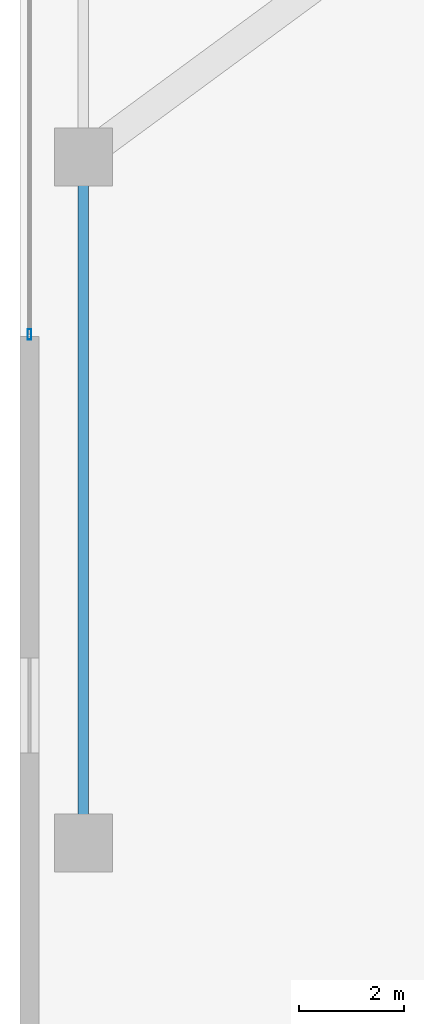
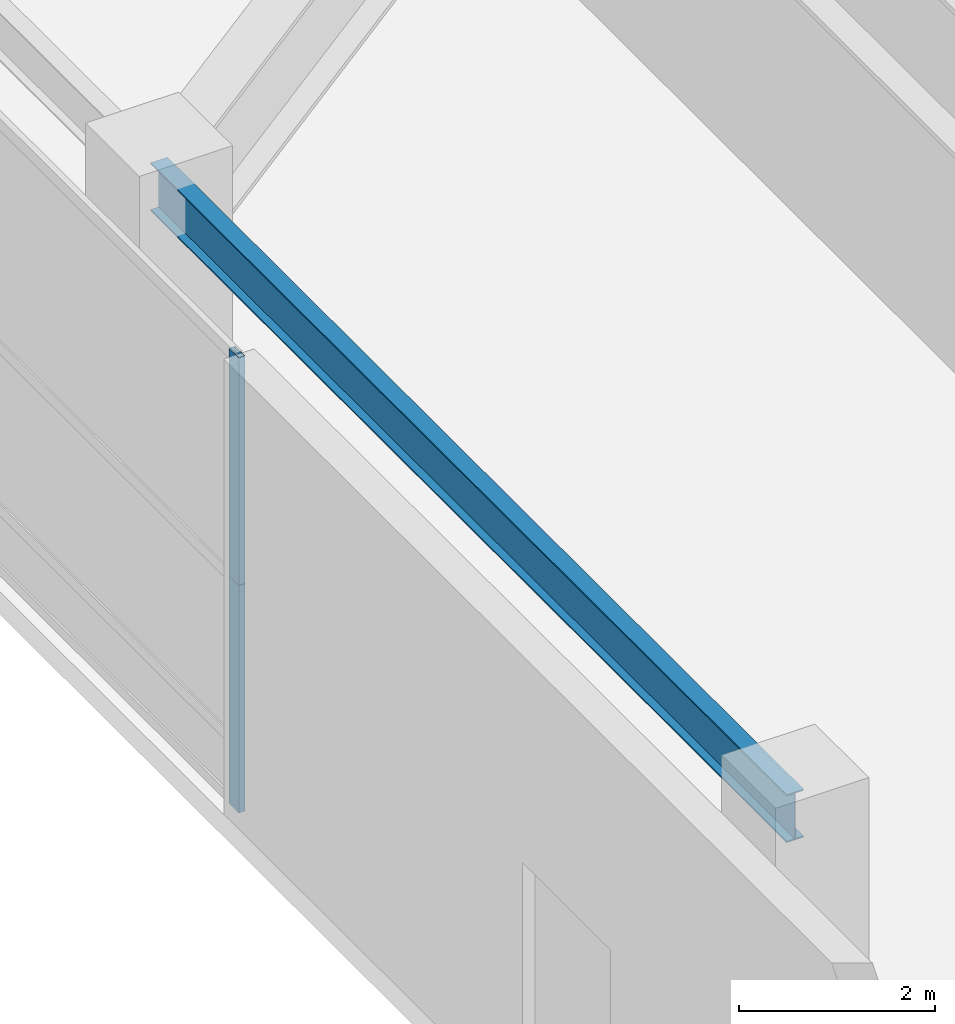
# One storey, part 5 of 39: 2 members, 1 beam, 1 element without a shape of its own.
"""IFC4 building model written with IfcOpenShell, lengths in metres."""

from ifc_helpers import new_model, si_unit, direction, frame, origin, origin_2d, place, context, subcontext, project, spatial, hollow_rectangle, i_section, extrude, source, transform, mapped, material, layer, layer_set, material_profile, profile_set, type_object, element, aggregate, save


model = new_model("IFC4")

# Units and contexts
model_context = context("Model", 3, precision=1e-05, world=origin(), true_north=direction((0.0, 1.0)))
body_context = subcontext(model_context, "Body", "Model", "MODEL_VIEW")
ifc_project = project(units=[si_unit("LENGTHUNIT", "METRE"), si_unit("AREAUNIT", "SQUARE_METRE"), si_unit("VOLUMEUNIT", "CUBIC_METRE"), si_unit("PLANEANGLEUNIT", "RADIAN"), si_unit("MASSUNIT", "GRAM", prefix="KILO"), si_unit("THERMODYNAMICTEMPERATUREUNIT", "KELVIN"), si_unit("POWERUNIT", "WATT")], contexts=[model_context])

# Site, building, storey
site_placement = place(None, origin())
site = spatial("IfcSite", under=ifc_project, at=site_placement, CompositionType="ELEMENT")
building_placement = place(site_placement, origin())
building = spatial("IfcBuilding", under=site, at=building_placement, Name="Yuzanri Waterfront Tower", CompositionType="ELEMENT")
storey_placement = place(building_placement, frame((0.0, 0.0, 19.800048828125)))
storey = spatial("IfcBuildingStorey", under=building, at=storey_placement, Name="L05", CompositionType="ELEMENT", Elevation=19.800048828125)

# Beam
ifc_material_1 = material(Name="Steel Q355B", Category="steel")
ifc_material_profile_1 = material_profile(ifc_material_1, i_section(OverallWidth=0.199951171875, OverallDepth=0.60009765625, WebThickness=0.010986328125, FlangeThickness=0.01708984375, at=origin_2d()), Name="HN 600x200x11x17")
ifc_profile_set_1 = profile_set([ifc_material_profile_1], Name="Steel Q355B")
beam_type = type_object("IfcBeamType", Name="Perimeter Spandrel Q355B HN 600x200", PredefinedType="SPANDREL", material=ifc_profile_set_1)
shared_shape_1 = source(origin(), body_context, "Body", "SweptSolid", [
    extrude(i_section(OverallWidth=0.199951171875, OverallDepth=0.60009765625, WebThickness=0.010986328125, FlangeThickness=0.01708984375, at=origin_2d()), origin(), (0.0, 0.0, 1.0), 13.0),
])
beam_placement = place(storey_placement, frame((3.199951171875, 6.39990234375, 5.3798828125), z_axis=(0.0, 1.0, 0.0), x_axis=(-1.0, 0.0, 0.0)))
element("IfcBeam", 1, at=beam_placement, inside=storey, type_object=beam_type, Name="L05 West Podium Spandrel 1", PredefinedType="SPANDREL", context=body_context, shape_type="MappedRepresentation", body=[
    mapped(shared_shape_1, transform((0.0, 0.0, 0.0), scale=1.0)),
])

# Curtain wall, members
ifc_material_2 = material(Name="Anodized Architectural Bronze", Category="metal")
ifc_layer = layer(ifc_material_2, 0.159912109375)
ifc_layer_set = layer_set([ifc_layer], Name="Anodized Architectural Bronze")
curtain_wall_type = type_object("IfcCurtainWallType", Name="Anodized Bronze Podium Waterfront Double-Height Unitized Curtain Wall 8400", PredefinedType="NOTDEFINED", material=ifc_layer_set)
curtain_wall_placement = place(storey_placement, origin())
curtain_wall = element("IfcCurtainWall", 2, at=curtain_wall_placement, inside=storey, type_object=curtain_wall_type, Name="L05 Curtain Wall CW-L05-W", PredefinedType="NOTDEFINED")
ifc_material_3 = material(Name="Anodized Architectural Bronze", Category="metal")
ifc_material_profile_2 = material_profile(ifc_material_3, hollow_rectangle(XDim=0.074951171875, YDim=0.199951171875, WallThickness=0.00390625, at=origin_2d()), Name="CWM 75x200")
ifc_profile_set_2 = profile_set([ifc_material_profile_2], Name="Anodized Architectural Bronze")
member_type = type_object("IfcMemberType", Name="Anodized Bronze Primary Curtain-Wall Mullion 75x200", PredefinedType="MULLION", material=ifc_profile_set_2)
shared_shape_2 = source(origin(), body_context, "Body", "SweptSolid", [
    extrude(hollow_rectangle(XDim=0.074951171875, YDim=0.199951171875, WallThickness=0.00390625, at=origin_2d()), origin(), (0.0, 0.0, 1.0), 2.837890625),
])
member_1_placement = place(storey_placement, frame((2.179931640625, 16.0400390625, 0.0), z_axis=(0.0, 0.0, 1.0), x_axis=(1.0, 0.0, 0.0)))
member_1 = element("IfcMember", 3, at=member_1_placement, type_object=member_type, Name="CW-L05-W Lower Mullion 00", PredefinedType="MULLION", context=body_context, shape_type="MappedRepresentation", body=[
    mapped(shared_shape_2, transform((0.0, 0.0, 0.0), scale=1.0)),
])
member_2_placement = place(storey_placement, frame((2.179931640625, 16.0400390625, 2.842041015625), z_axis=(0.0, 0.0, 1.0), x_axis=(1.0, 0.0, 0.0)))
member_2 = element("IfcMember", 4, at=member_2_placement, type_object=member_type, Name="CW-L05-W Upper Mullion 00", PredefinedType="MULLION", context=body_context, shape_type="MappedRepresentation", body=[
    mapped(shared_shape_2, transform((0.0, 0.0, 0.0), scale=1.0)),
])
aggregate(curtain_wall, [member_1, member_2])

save(model, "model.ifc")
